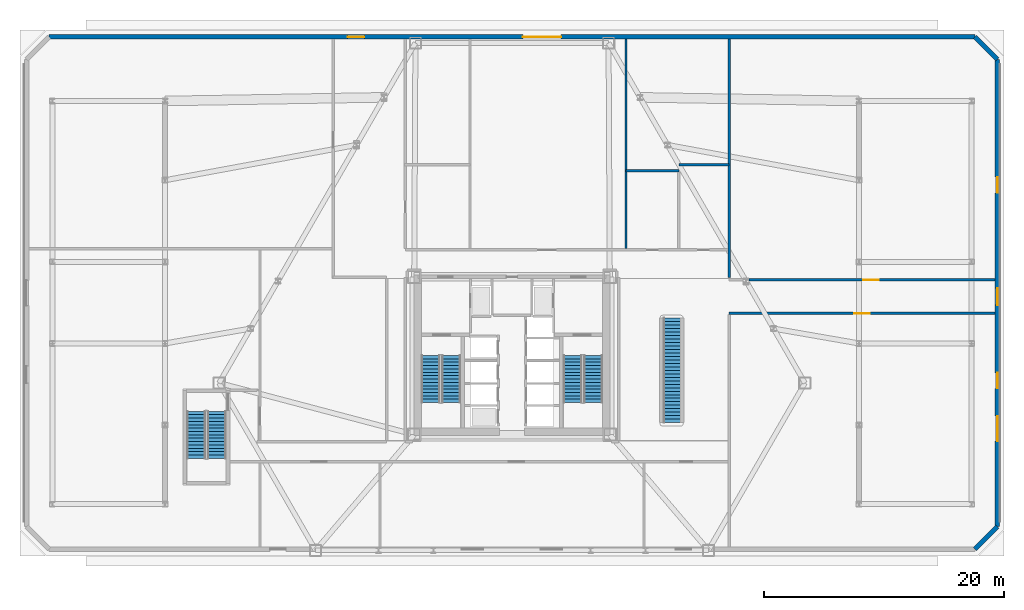
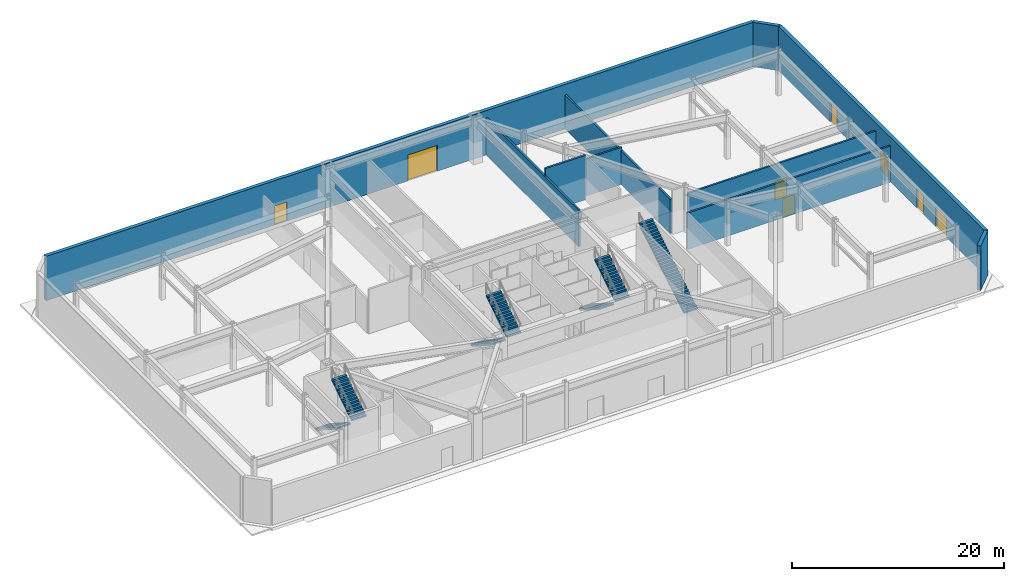
# One storey, part 7 of 12: 10 walls, 8 doors, 7 stair flights, 8 openings, 4 elements without a shape of their own.
"""IFC4 building model written with IfcOpenShell, lengths in metres."""

from ifc_helpers import new_model, si_unit, direction, frame, frame_2d, origin, place, context, subcontext, project, spatial, polyline, rectangle, outline, extrude, material, layer, layer_set, type_object, element, fill, aggregate, save


model = new_model("IFC4")

# Units and contexts
model_context = context("Model", 3, precision=1e-05, world=origin(), true_north=direction((0.0, 1.0)))
body_context = subcontext(model_context, "Body", "Model", "MODEL_VIEW")
ifc_project = project(units=[si_unit("LENGTHUNIT", "METRE"), si_unit("AREAUNIT", "SQUARE_METRE"), si_unit("VOLUMEUNIT", "CUBIC_METRE"), si_unit("PLANEANGLEUNIT", "RADIAN"), si_unit("MASSUNIT", "GRAM", prefix="KILO")], contexts=[model_context])

# Site, building, storey
site_placement = place(None, origin())
site = spatial("IfcSite", under=ifc_project, at=site_placement, CompositionType="ELEMENT")
building_placement = place(site_placement, origin())
building = spatial("IfcBuilding", under=site, at=building_placement, Name="Oramaril Tower", CompositionType="ELEMENT")
storey_placement = place(building_placement, origin())
storey = spatial("IfcBuildingStorey", under=building, at=storey_placement, Name="L00", CompositionType="ELEMENT", Elevation=0.0)

# Wall
ifc_material_1 = material(Name="Warm Cream Limestone", Category="masonry")
ifc_layer_1 = layer(ifc_material_1, 0.3798828125)
ifc_layer_set_1 = layer_set([ifc_layer_1], Name="WT-EXT38")
wall_type_1 = type_object("IfcWallType", Name="WT-EXT38", PredefinedType="SOLIDWALL", material=ifc_layer_set_1)
wall_1_placement = place(storey_placement, frame((77.949951171875, 3.327880859375, 0.0), z_axis=(0.0, 0.0, 1.0), x_axis=(-0.707060812925, -0.70715274646, 0.0)))
element("IfcWall", 1, at=wall_1_placement, inside=storey, type_object=wall_type_1, Name="L00 Limestone Facade Wall EW-2M", PredefinedType="SOLIDWALL", context=body_context, shape_type="SweptSolid", body=[
    extrude(rectangle(XDim=2.655517578125, YDim=0.3798828125, at=frame_2d((1.32763671875, 0.0))), origin(), (0.0, 0.0, 1.0), 5.1201171875),
])

# Wall, openings, doors
wall_2_placement = place(storey_placement, frame((77.949951171875, 42.272216796875, 0.0), z_axis=(0.0, 0.0, 1.0), x_axis=(0.0, -1.0, 0.0)))
wall_2 = element("IfcWall", 2, at=wall_2_placement, inside=storey, type_object=wall_type_1, Name="L00 Limestone Facade Wall EW-3M", PredefinedType="SOLIDWALL", context=body_context, shape_type="SweptSolid", body=[
    extrude(rectangle(XDim=38.9443359375, YDim=0.3798828125, at=frame_2d((19.47216796875, 0.0))), origin(), (0.0, 0.0, 1.0), 5.1201171875),
])
opening_1_placement = place(wall_2_placement, frame((26.122314453125, 0.0, 0.0)))
opening_1 = element("IfcOpeningElement", 3, at=opening_1_placement, cuts=wall_2, Name="Opening D-E04", PredefinedType="OPENING", context=body_context, shape_type="SweptSolid", body=[
    extrude(rectangle(XDim=1.300048828125, YDim=2.25, at=frame_2d((0.64990234375, 1.125))), frame((0.0, 0.18994140625, 0.0), z_axis=(0.0, -1.0, 0.0), x_axis=(1.0, 0.0, 0.0)), (0.0, 0.0, 1.0), 0.3798828125),
])
opening_2_placement = place(wall_2_placement, frame((19.072265625, 0.0, 0.0)))
opening_2 = element("IfcOpeningElement", 4, at=opening_2_placement, cuts=wall_2, Name="Opening D-ST2", PredefinedType="OPENING", context=body_context, shape_type="SweptSolid", body=[
    extrude(rectangle(XDim=1.39990234375, YDim=2.199951171875, at=frame_2d((0.699951171875, 1.10009765625))), frame((0.0, 0.18994140625, 0.0), z_axis=(0.0, -1.0, 0.0), x_axis=(1.0, 0.0, 0.0)), (0.0, 0.0, 1.0), 0.3798828125),
])
opening_3_placement = place(wall_2_placement, frame((29.72216796875, 0.0, 0.0)))
opening_3 = element("IfcOpeningElement", 5, at=opening_3_placement, cuts=wall_2, Name="Opening G-02", PredefinedType="OPENING", context=body_context, shape_type="SweptSolid", body=[
    extrude(rectangle(XDim=2.10009765625, YDim=2.300048828125, at=frame_2d((1.050048828125, 1.14990234375))), frame((0.0, 0.18994140625, 0.0), z_axis=(0.0, -1.0, 0.0), x_axis=(1.0, 0.0, 0.0)), (0.0, 0.0, 1.0), 0.3798828125),
])
opening_4_placement = place(wall_2_placement, frame((9.822265625, 0.0, 0.0)))
opening_4 = element("IfcOpeningElement", 6, at=opening_4_placement, cuts=wall_2, Name="Opening D-E06", PredefinedType="OPENING", context=body_context, shape_type="SweptSolid", body=[
    extrude(rectangle(XDim=1.300048828125, YDim=2.25, at=frame_2d((0.64990234375, 1.125))), frame((0.0, 0.18994140625, 0.0), z_axis=(0.0, -1.0, 0.0), x_axis=(1.0, 0.0, 0.0)), (0.0, 0.0, 1.0), 0.3798828125),
])
ifc_material_2 = material(Name="Anodised Aluminium 6063-T6", Category="aluminium")
door_type_1 = type_object("IfcDoorType", Name="DT-E2", OperationType="NOTDEFINED", PredefinedType="DOOR", material=ifc_material_2)
door_1_placement = place(opening_1_placement, origin())
door_1 = element("IfcDoor", 7, at=door_1_placement, inside=storey, type_object=door_type_1, Name="L00 Retail Street Exit Door D-E04", OperationType="SINGLE_SWING_RIGHT", OverallHeight=2.25, OverallWidth=1.300048828125, PredefinedType="DOOR", context=body_context, shape_type="SweptSolid", body=[
    extrude(rectangle(XDim=1.300048828125, YDim=2.25, at=frame_2d((0.64990234375, 1.125))), frame((0.0, 0.02490234375, 0.0), z_axis=(0.0, -1.0, 0.0), x_axis=(1.0, 0.0, 0.0)), (0.0, 0.0, 1.0), 0.050048828125),
])
fill(opening_1, door_1)
door_2_placement = place(opening_4_placement, origin())
door_2 = element("IfcDoor", 8, at=door_2_placement, inside=storey, type_object=door_type_1, Name="L00 North Retail Street Exit Door D-E06", OperationType="SINGLE_SWING_RIGHT", OverallHeight=2.25, OverallWidth=1.300048828125, PredefinedType="DOOR", context=body_context, shape_type="SweptSolid", body=[
    extrude(rectangle(XDim=1.300048828125, YDim=2.25, at=frame_2d((0.64990234375, 1.125))), frame((0.0, 0.02490234375, 0.0), z_axis=(0.0, -1.0, 0.0), x_axis=(1.0, 0.0, 0.0)), (0.0, 0.0, 1.0), 0.050048828125),
])
fill(opening_4, door_2)
ifc_material_3 = material(Name="Painted Galvanised Steel", Category="steel")
door_type_2 = type_object("IfcDoorType", Name="DT-GT2", OperationType="NOTDEFINED", PredefinedType="GATE", material=ifc_material_3)
door_3_placement = place(opening_3_placement, origin())
door_3 = element("IfcDoor", 9, at=door_3_placement, inside=storey, type_object=door_type_2, Name="L00 Retail Service Gate G-02", OperationType="SINGLE_SWING_RIGHT", OverallHeight=2.300048828125, OverallWidth=2.10009765625, PredefinedType="GATE", context=body_context, shape_type="SweptSolid", body=[
    extrude(rectangle(XDim=2.10009765625, YDim=2.300048828125, at=frame_2d((1.050048828125, 1.14990234375))), frame((0.0, 0.02490234375, 0.0), z_axis=(0.0, -1.0, 0.0), x_axis=(1.0, 0.0, 0.0)), (0.0, 0.0, 1.0), 0.050048828125),
])
fill(opening_3, door_3)
ifc_material_4 = material(Name="Painted Galvanised Steel", Category="steel")
door_type_3 = type_object("IfcDoorType", Name="DT-ST", OperationType="NOTDEFINED", PredefinedType="DOOR", material=ifc_material_4)
door_4_placement = place(opening_2_placement, origin())
door_4 = element("IfcDoor", 10, at=door_4_placement, inside=storey, type_object=door_type_3, Name="L00 East Final Exit Discharge D-ST2", OperationType="SINGLE_SWING_LEFT", OverallHeight=2.199951171875, OverallWidth=1.39990234375, PredefinedType="DOOR", context=body_context, shape_type="SweptSolid", body=[
    extrude(rectangle(XDim=1.39990234375, YDim=2.199951171875, at=frame_2d((0.699951171875, 1.10009765625))), frame((0.0, 0.02490234375, 0.0), z_axis=(0.0, -1.0, 0.0), x_axis=(1.0, 0.0, 0.0)), (0.0, 0.0, 1.0), 0.050048828125),
])
fill(opening_2, door_4)

# Wall
wall_3_placement = place(storey_placement, frame((76.072265625, 44.14990234375, 0.0), z_axis=(0.0, 0.0, 1.0), x_axis=(0.707106781187, -0.707106781187, 0.0)))
element("IfcWall", 11, at=wall_3_placement, inside=storey, type_object=wall_type_1, Name="L00 Limestone Facade Wall EW-4M", PredefinedType="SOLIDWALL", context=body_context, shape_type="SweptSolid", body=[
    extrude(rectangle(XDim=2.655517578125, YDim=0.3798828125, at=frame_2d((1.32763671875, 0.0))), origin(), (0.0, 0.0, 1.0), 5.1201171875),
])

# Wall, openings, doors
wall_4_placement = place(storey_placement, frame((-1.072265625, 44.14990234375, 0.0), z_axis=(0.0, 0.0, 1.0), x_axis=(1.0, 0.0, 0.0)))
wall_4 = element("IfcWall", 12, at=wall_4_placement, inside=storey, type_object=wall_type_1, Name="L00 Limestone Facade Wall EW-5M", PredefinedType="SOLIDWALL", context=body_context, shape_type="SweptSolid", body=[
    extrude(rectangle(XDim=77.14453125, YDim=0.3798828125, at=frame_2d((38.572265625, 0.0))), origin(), (0.0, 0.0, 1.0), 5.1201171875),
])
opening_5_placement = place(wall_4_placement, frame((24.872314453125, 0.0, 0.0)))
opening_5 = element("IfcOpeningElement", 13, at=opening_5_placement, cuts=wall_4, Name="Opening D-ST1", PredefinedType="OPENING", context=body_context, shape_type="SweptSolid", body=[
    extrude(rectangle(XDim=1.39990234375, YDim=2.199951171875, at=frame_2d((0.699951171875, 1.10009765625))), frame((0.0, 0.18994140625, 0.0), z_axis=(0.0, -1.0, 0.0), x_axis=(1.0, 0.0, 0.0)), (0.0, 0.0, 1.0), 0.3798828125),
])
opening_6_placement = place(wall_4_placement, frame((39.47216796875, 0.0, 0.0)))
opening_6 = element("IfcOpeningElement", 14, at=opening_6_placement, cuts=wall_4, Name="Opening D-LD01", PredefinedType="OPENING", context=body_context, shape_type="SweptSolid", body=[
    extrude(rectangle(XDim=3.199951171875, YDim=3.0, at=frame_2d((1.60009765625, 1.5))), frame((0.0, 0.18994140625, 0.0), z_axis=(0.0, -1.0, 0.0), x_axis=(1.0, 0.0, 0.0)), (0.0, 0.0, 1.0), 0.3798828125),
])
ifc_material_5 = material(Name="Painted Galvanised Steel", Category="steel")
door_type_4 = type_object("IfcDoorType", Name="DT-GT1", OperationType="NOTDEFINED", PredefinedType="GATE", material=ifc_material_5)
door_5_placement = place(opening_6_placement, origin())
door_5 = element("IfcDoor", 15, at=door_5_placement, inside=storey, type_object=door_type_4, Name="L00 Loading Bay Roller Gate D-LD01", OperationType="ROLLINGUP", OverallHeight=3.0, OverallWidth=3.199951171875, PredefinedType="GATE", context=body_context, shape_type="SweptSolid", body=[
    extrude(rectangle(XDim=3.199951171875, YDim=3.0, at=frame_2d((1.60009765625, 1.5))), frame((0.0, 0.02490234375, 0.0), z_axis=(0.0, -1.0, 0.0), x_axis=(1.0, 0.0, 0.0)), (0.0, 0.0, 1.0), 0.050048828125),
])
fill(opening_6, door_5)
door_6_placement = place(opening_5_placement, origin())
door_6 = element("IfcDoor", 16, at=door_6_placement, inside=storey, type_object=door_type_3, Name="L00 North Final Exit Discharge D-ST1", OperationType="SINGLE_SWING_LEFT", OverallHeight=2.199951171875, OverallWidth=1.39990234375, PredefinedType="DOOR", context=body_context, shape_type="SweptSolid", body=[
    extrude(rectangle(XDim=1.39990234375, YDim=2.199951171875, at=frame_2d((0.699951171875, 1.10009765625))), frame((0.0, 0.02490234375, 0.0), z_axis=(0.0, -1.0, 0.0), x_axis=(1.0, 0.0, 0.0)), (0.0, 0.0, 1.0), 0.050048828125),
])
fill(opening_5, door_6)

# Wall, opening, door
ifc_material_6 = material(Name="Autoclaved Cellular Concrete Block", Category="concrete")
ifc_layer_2 = layer(ifc_material_6, 0.199951171875)
ifc_layer_set_2 = layer_set([ifc_layer_2], Name="WT-PT20")
wall_type_2 = type_object("IfcWallType", Name="WT-PT20", PredefinedType="PARTITIONING", material=ifc_layer_set_2)
wall_5_placement = place(storey_placement, frame((55.60009765625, 21.10009765625, 0.0), z_axis=(0.0, 0.0, 1.0), x_axis=(1.0, 0.0, 0.0)))
wall_5 = element("IfcWall", 17, at=wall_5_placement, inside=storey, type_object=wall_type_2, Name="L00 Interior Partition PT-20", PredefinedType="PARTITIONING", context=body_context, shape_type="SweptSolid", body=[
    extrude(rectangle(XDim=22.156005859375, YDim=0.199951171875, at=frame_2d((11.078125, 0.0))), origin(), (0.0, 0.0, 1.0), 4.18310546875),
])
opening_7_placement = place(wall_5_placement, frame((10.419921875, 0.0, 0.0)))
opening_7 = element("IfcOpeningElement", 18, at=opening_7_placement, cuts=wall_5, Name="Opening D-L00-04", PredefinedType="OPENING", context=body_context, shape_type="SweptSolid", body=[
    extrude(rectangle(XDim=1.300048828125, YDim=2.199951171875, at=frame_2d((0.64990234375, 1.10009765625))), frame((0.0, 0.10009765625, 0.0), z_axis=(0.0, -1.0, 0.0), x_axis=(1.0, 0.0, 0.0)), (0.0, 0.0, 1.0), 0.199951171875),
])
ifc_material_7 = material(Name="FSC Brazilian Freijo Hardwood", Category="wood")
door_type_5 = type_object("IfcDoorType", Name="DT-COM", OperationType="NOTDEFINED", PredefinedType="DOOR", material=ifc_material_7)
door_7_placement = place(opening_7_placement, origin())
door_7 = element("IfcDoor", 19, at=door_7_placement, inside=storey, type_object=door_type_5, Name="L00 L00 South Boutique Retail Gallery Door D-L00-04", OperationType="SINGLE_SWING_LEFT", OverallHeight=2.199951171875, OverallWidth=1.300048828125, PredefinedType="DOOR", context=body_context, shape_type="SweptSolid", body=[
    extrude(rectangle(XDim=1.300048828125, YDim=2.199951171875, at=frame_2d((0.64990234375, 1.10009765625))), frame((0.0, 0.02490234375, 0.0), z_axis=(0.0, -1.0, 0.0), x_axis=(1.0, 0.0, 0.0)), (0.0, 0.0, 1.0), 0.050048828125),
])
fill(opening_7, door_7)

wall_6_placement = place(storey_placement, frame((57.254150390625, 23.89990234375, 0.0), z_axis=(0.0, 0.0, 1.0), x_axis=(1.0, 0.0, 0.0)))
wall_6 = element("IfcWall", 20, at=wall_6_placement, inside=storey, type_object=wall_type_2, Name="L00 Interior Partition PT-20", PredefinedType="PARTITIONING", context=body_context, shape_type="SweptSolid", body=[
    extrude(rectangle(XDim=20.501953125, YDim=0.199951171875, at=frame_2d((10.2509765625, 0.0))), origin(), (0.0, 0.0, 1.0), 4.18310546875),
])
opening_8_placement = place(wall_6_placement, frame((9.5185546875, 0.0, 0.0)))
opening_8 = element("IfcOpeningElement", 21, at=opening_8_placement, cuts=wall_6, Name="Opening D-L00-05", PredefinedType="OPENING", context=body_context, shape_type="SweptSolid", body=[
    extrude(rectangle(XDim=1.300048828125, YDim=2.199951171875, at=frame_2d((0.64990234375, 1.10009765625))), frame((0.0, 0.10009765625, 0.0), z_axis=(0.0, -1.0, 0.0), x_axis=(1.0, 0.0, 0.0)), (0.0, 0.0, 1.0), 0.199951171875),
])
door_8_placement = place(opening_8_placement, origin())
door_8 = element("IfcDoor", 22, at=door_8_placement, inside=storey, type_object=door_type_5, Name="L00 L00 North Boutique Retail Gallery Door D-L00-05", OperationType="SINGLE_SWING_RIGHT", OverallHeight=2.199951171875, OverallWidth=1.300048828125, PredefinedType="DOOR", context=body_context, shape_type="SweptSolid", body=[
    extrude(rectangle(XDim=1.300048828125, YDim=2.199951171875, at=frame_2d((0.64990234375, 1.10009765625))), frame((0.0, 0.02490234375, 0.0), z_axis=(0.0, -1.0, 0.0), x_axis=(1.0, 0.0, 0.0)), (0.0, 0.0, 1.0), 0.050048828125),
])
fill(opening_8, door_8)

# Walls
wall_7_placement = place(storey_placement, frame((47.0, 33.0, 0.0), z_axis=(0.0, 0.0, 1.0), x_axis=(1.0, 0.0, 0.0)))
element("IfcWall", 23, at=wall_7_placement, inside=storey, type_object=wall_type_2, Name="L00 Interior Partition PT-20", PredefinedType="PARTITIONING", context=body_context, shape_type="SweptSolid", body=[
    extrude(rectangle(XDim=4.39990234375, YDim=0.199951171875, at=frame_2d((2.199951171875, 0.0))), origin(), (0.0, 0.0, 1.0), 5.1201171875),
])
wall_8_placement = place(storey_placement, frame((51.39990234375, 33.5, 0.0), z_axis=(0.0, 0.0, 1.0), x_axis=(1.0, 0.0, 0.0)))
element("IfcWall", 24, at=wall_8_placement, inside=storey, type_object=wall_type_2, Name="L00 Interior Partition PT-20", PredefinedType="PARTITIONING", context=body_context, shape_type="SweptSolid", body=[
    extrude(rectangle(XDim=4.2001953125, YDim=0.199951171875, at=frame_2d((2.10009765625, 0.0))), origin(), (0.0, 0.0, 1.0), 4.25390625),
])
wall_9_placement = place(storey_placement, frame((47.0, 26.50390625, 0.0), z_axis=(0.0, 0.0, 1.0), x_axis=(0.0, 1.0, 0.0)))
element("IfcWall", 25, at=wall_9_placement, inside=storey, type_object=wall_type_2, Name="L00 Interior Partition PT-20", PredefinedType="PARTITIONING", context=body_context, shape_type="SweptSolid", body=[
    extrude(rectangle(XDim=17.4521484375, YDim=0.199951171875, at=frame_2d((8.72607421875, 0.0))), origin(), (0.0, 0.0, 1.0), 4.25390625),
])
wall_10_placement = place(storey_placement, frame((55.60009765625, 24.10009765625, 0.0), z_axis=(0.0, 0.0, 1.0), x_axis=(0.0, 1.0, 0.0)))
element("IfcWall", 26, at=wall_10_placement, inside=storey, type_object=wall_type_2, Name="L00 Interior Partition PT-20", PredefinedType="PARTITIONING", context=body_context, shape_type="SweptSolid", body=[
    extrude(rectangle(XDim=19.85595703125, YDim=0.199951171875, at=frame_2d((9.927978515625, 0.0))), origin(), (0.0, 0.0, 1.0), 3.909912109375),
])

# Stair, stair flights
ifc_material_8 = material(Name="Concrete C50/60", Category="concrete")
stair_type_1 = type_object("IfcStairType", Name="STT-DG-5400", PredefinedType="HALF_TURN_STAIR", material=ifc_material_8)
stair_1_placement = place(storey_placement, origin())
stair_1 = element("IfcStair", 27, at=stair_1_placement, inside=storey, type_object=stair_type_1, Name="L00 Protected PFP Exit Stair ST-1", PredefinedType="HALF_TURN_STAIR")
ifc_material_9 = material(Name="Concrete C50/60", Category="concrete")
stair_flight_type_1 = type_object("IfcStairFlightType", Name="SFT-DG-5400", PredefinedType="STRAIGHT", material=ifc_material_9)
stair_flight_1_placement = place(storey_placement, frame((30.72998046875, 17.590087890625, 0.0), z_axis=(0.0, 0.0, 1.0), x_axis=(0.0, -1.0, 0.0)))
stair_flight_1 = element("IfcStairFlight", 28, at=stair_flight_1_placement, type_object=stair_flight_type_1, Name="ST-1 flight 1", NumberOfRisers=15, NumberOfTreads=14, PredefinedType="STRAIGHT", RiserHeight=0.18, TreadLength=0.28, context=body_context, shape_type="SweptSolid", body=[
    extrude(outline(polyline([(0.0, 0.0), (0.0, 0.179931640625), (0.280029296875, 0.179931640625), (0.280029296875, 0.360107421875), (0.56005859375, 0.360107421875), (0.56005859375, 0.5400390625), (0.840087890625, 0.5400390625), (0.840087890625, 0.719970703125), (1.1201171875, 0.719970703125), (1.1201171875, 0.89990234375), (1.39990234375, 0.89990234375), (1.39990234375, 1.080078125), (1.679931640625, 1.080078125), (1.679931640625, 1.260009765625), (1.9599609375, 1.260009765625), (1.9599609375, 1.43994140625), (2.239990234375, 1.43994140625), (2.239990234375, 1.6201171875), (2.52001953125, 1.6201171875), (2.52001953125, 1.800048828125), (2.800048828125, 1.800048828125), (2.800048828125, 1.97998046875), (3.080078125, 1.97998046875), (3.080078125, 2.159912109375), (3.360107421875, 2.159912109375), (3.360107421875, 2.340087890625), (3.639892578125, 2.340087890625), (3.639892578125, 2.52001953125), (3.919921875, 2.52001953125), (3.919921875, 2.699951171875), (3.919921875, 2.341796875), (0.277099609375, 0.0), (0.0, 0.0)])), frame((0.0, 0.780029296875, 0.0), z_axis=(0.0, -1.0, 0.0), x_axis=(1.0, 0.0, 0.0)), (0.0, 0.0, 1.0), 1.56005859375),
])
stair_flight_2_placement = place(storey_placement, frame((32.43994140625, 13.669921875, 2.699951171875), z_axis=(0.0, 0.0, 1.0), x_axis=(0.0, 1.0, 0.0)))
stair_flight_2 = element("IfcStairFlight", 29, at=stair_flight_2_placement, type_object=stair_flight_type_1, Name="ST-1 flight 2", NumberOfRisers=15, NumberOfTreads=14, PredefinedType="STRAIGHT", RiserHeight=0.18, TreadLength=0.28, context=body_context, shape_type="SweptSolid", body=[
    extrude(outline(polyline([(0.0, 0.0), (0.0, 0.179931640625), (0.280029296875, 0.179931640625), (0.280029296875, 0.360107421875), (0.56005859375, 0.360107421875), (0.56005859375, 0.5400390625), (0.840087890625, 0.5400390625), (0.840087890625, 0.719970703125), (1.1201171875, 0.719970703125), (1.1201171875, 0.89990234375), (1.39990234375, 0.89990234375), (1.39990234375, 1.080078125), (1.679931640625, 1.080078125), (1.679931640625, 1.260009765625), (1.9599609375, 1.260009765625), (1.9599609375, 1.43994140625), (2.239990234375, 1.43994140625), (2.239990234375, 1.6201171875), (2.52001953125, 1.6201171875), (2.52001953125, 1.800048828125), (2.800048828125, 1.800048828125), (2.800048828125, 1.97998046875), (3.080078125, 1.97998046875), (3.080078125, 2.159912109375), (3.360107421875, 2.159912109375), (3.360107421875, 2.340087890625), (3.639892578125, 2.340087890625), (3.639892578125, 2.52001953125), (3.919921875, 2.52001953125), (3.919921875, 2.699951171875), (3.919921875, 2.341796875), (0.277099609375, 0.0), (0.0, 0.0)])), frame((0.0, 0.780029296875, 0.0), z_axis=(0.0, -1.0, 0.0), x_axis=(1.0, 0.0, 0.0)), (0.0, 0.0, 1.0), 1.56005859375),
])
aggregate(stair_1, [stair_flight_1, stair_flight_2])

stair_2_placement = place(storey_placement, origin())
stair_2 = element("IfcStair", 30, at=stair_2_placement, inside=storey, type_object=stair_type_1, Name="L00 Protected PFP Exit Stair ST-2", PredefinedType="HALF_TURN_STAIR")
stair_flight_3_placement = place(storey_placement, frame((42.56005859375, 17.590087890625, 0.0), z_axis=(0.0, 0.0, 1.0), x_axis=(0.0, -1.0, 0.0)))
stair_flight_3 = element("IfcStairFlight", 31, at=stair_flight_3_placement, type_object=stair_flight_type_1, Name="ST-2 flight 1", NumberOfRisers=15, NumberOfTreads=14, PredefinedType="STRAIGHT", RiserHeight=0.18, TreadLength=0.28, context=body_context, shape_type="SweptSolid", body=[
    extrude(outline(polyline([(0.0, 0.0), (0.0, 0.179931640625), (0.280029296875, 0.179931640625), (0.280029296875, 0.360107421875), (0.56005859375, 0.360107421875), (0.56005859375, 0.5400390625), (0.840087890625, 0.5400390625), (0.840087890625, 0.719970703125), (1.1201171875, 0.719970703125), (1.1201171875, 0.89990234375), (1.39990234375, 0.89990234375), (1.39990234375, 1.080078125), (1.679931640625, 1.080078125), (1.679931640625, 1.260009765625), (1.9599609375, 1.260009765625), (1.9599609375, 1.43994140625), (2.239990234375, 1.43994140625), (2.239990234375, 1.6201171875), (2.52001953125, 1.6201171875), (2.52001953125, 1.800048828125), (2.800048828125, 1.800048828125), (2.800048828125, 1.97998046875), (3.080078125, 1.97998046875), (3.080078125, 2.159912109375), (3.360107421875, 2.159912109375), (3.360107421875, 2.340087890625), (3.639892578125, 2.340087890625), (3.639892578125, 2.52001953125), (3.919921875, 2.52001953125), (3.919921875, 2.699951171875), (3.919921875, 2.341796875), (0.277099609375, 0.0), (0.0, 0.0)])), frame((0.0, 0.780029296875, 0.0), z_axis=(0.0, -1.0, 0.0), x_axis=(1.0, 0.0, 0.0)), (0.0, 0.0, 1.0), 1.56005859375),
])
stair_flight_4_placement = place(storey_placement, frame((44.27001953125, 13.669921875, 2.699951171875), z_axis=(0.0, 0.0, 1.0), x_axis=(0.0, 1.0, 0.0)))
stair_flight_4 = element("IfcStairFlight", 32, at=stair_flight_4_placement, type_object=stair_flight_type_1, Name="ST-2 flight 2", NumberOfRisers=15, NumberOfTreads=14, PredefinedType="STRAIGHT", RiserHeight=0.18, TreadLength=0.28, context=body_context, shape_type="SweptSolid", body=[
    extrude(outline(polyline([(0.0, 0.0), (0.0, 0.179931640625), (0.280029296875, 0.179931640625), (0.280029296875, 0.360107421875), (0.56005859375, 0.360107421875), (0.56005859375, 0.5400390625), (0.840087890625, 0.5400390625), (0.840087890625, 0.719970703125), (1.1201171875, 0.719970703125), (1.1201171875, 0.89990234375), (1.39990234375, 0.89990234375), (1.39990234375, 1.080078125), (1.679931640625, 1.080078125), (1.679931640625, 1.260009765625), (1.9599609375, 1.260009765625), (1.9599609375, 1.43994140625), (2.239990234375, 1.43994140625), (2.239990234375, 1.6201171875), (2.52001953125, 1.6201171875), (2.52001953125, 1.800048828125), (2.800048828125, 1.800048828125), (2.800048828125, 1.97998046875), (3.080078125, 1.97998046875), (3.080078125, 2.159912109375), (3.360107421875, 2.159912109375), (3.360107421875, 2.340087890625), (3.639892578125, 2.340087890625), (3.639892578125, 2.52001953125), (3.919921875, 2.52001953125), (3.919921875, 2.699951171875), (3.919921875, 2.341796875), (0.277099609375, 0.0), (0.0, 0.0)])), frame((0.0, 0.780029296875, 0.0), z_axis=(0.0, -1.0, 0.0), x_axis=(1.0, 0.0, 0.0)), (0.0, 0.0, 1.0), 1.56005859375),
])
aggregate(stair_2, [stair_flight_3, stair_flight_4])

stair_3_placement = place(storey_placement, origin())
stair_3 = element("IfcStair", 33, at=stair_3_placement, inside=storey, type_object=stair_type_1, Name="L00 Podium Enclosed Exit Stair ST-3", PredefinedType="HALF_TURN_STAIR")
stair_flight_5_placement = place(storey_placement, frame((11.179931640625, 12.93994140625, 0.0), z_axis=(0.0, 0.0, 1.0), x_axis=(0.0, -1.0, 0.0)))
stair_flight_5 = element("IfcStairFlight", 34, at=stair_flight_5_placement, type_object=stair_flight_type_1, Name="ST-3 flight 1", NumberOfRisers=15, NumberOfTreads=14, PredefinedType="STRAIGHT", RiserHeight=0.18, TreadLength=0.28, context=body_context, shape_type="SweptSolid", body=[
    extrude(outline(polyline([(0.0, 0.0), (0.0, 0.179931640625), (0.280029296875, 0.179931640625), (0.280029296875, 0.360107421875), (0.56005859375, 0.360107421875), (0.56005859375, 0.5400390625), (0.840087890625, 0.5400390625), (0.840087890625, 0.719970703125), (1.1201171875, 0.719970703125), (1.1201171875, 0.89990234375), (1.39990234375, 0.89990234375), (1.39990234375, 1.080078125), (1.679931640625, 1.080078125), (1.679931640625, 1.260009765625), (1.9599609375, 1.260009765625), (1.9599609375, 1.43994140625), (2.239990234375, 1.43994140625), (2.239990234375, 1.6201171875), (2.52001953125, 1.6201171875), (2.52001953125, 1.800048828125), (2.800048828125, 1.800048828125), (2.800048828125, 1.97998046875), (3.080078125, 1.97998046875), (3.080078125, 2.159912109375), (3.360107421875, 2.159912109375), (3.360107421875, 2.340087890625), (3.639892578125, 2.340087890625), (3.639892578125, 2.52001953125), (3.919921875, 2.52001953125), (3.919921875, 2.699951171875), (3.919921875, 2.341796875), (0.277099609375, 0.0), (0.0, 0.0)])), frame((0.0, 0.780029296875, 0.0), z_axis=(0.0, -1.0, 0.0), x_axis=(1.0, 0.0, 0.0)), (0.0, 0.0, 1.0), 1.56005859375),
])
stair_flight_6_placement = place(storey_placement, frame((12.889892578125, 9.02001953125, 2.699951171875), z_axis=(0.0, 0.0, 1.0), x_axis=(0.0, 1.0, 0.0)))
stair_flight_6 = element("IfcStairFlight", 35, at=stair_flight_6_placement, type_object=stair_flight_type_1, Name="ST-3 flight 2", NumberOfRisers=15, NumberOfTreads=14, PredefinedType="STRAIGHT", RiserHeight=0.18, TreadLength=0.28, context=body_context, shape_type="SweptSolid", body=[
    extrude(outline(polyline([(0.0, 0.0), (0.0, 0.179931640625), (0.280029296875, 0.179931640625), (0.280029296875, 0.360107421875), (0.56005859375, 0.360107421875), (0.56005859375, 0.5400390625), (0.840087890625, 0.5400390625), (0.840087890625, 0.719970703125), (1.1201171875, 0.719970703125), (1.1201171875, 0.89990234375), (1.39990234375, 0.89990234375), (1.39990234375, 1.080078125), (1.679931640625, 1.080078125), (1.679931640625, 1.260009765625), (1.9599609375, 1.260009765625), (1.9599609375, 1.43994140625), (2.239990234375, 1.43994140625), (2.239990234375, 1.6201171875), (2.52001953125, 1.6201171875), (2.52001953125, 1.800048828125), (2.800048828125, 1.800048828125), (2.800048828125, 1.97998046875), (3.080078125, 1.97998046875), (3.080078125, 2.159912109375), (3.360107421875, 2.159912109375), (3.360107421875, 2.340087890625), (3.639892578125, 2.340087890625), (3.639892578125, 2.52001953125), (3.919921875, 2.52001953125), (3.919921875, 2.699951171875), (3.919921875, 2.341796875), (0.277099609375, 0.0), (0.0, 0.0)])), frame((0.0, 0.780029296875, 0.0), z_axis=(0.0, -1.0, 0.0), x_axis=(1.0, 0.0, 0.0)), (0.0, 0.0, 1.0), 1.56005859375),
])
aggregate(stair_3, [stair_flight_5, stair_flight_6])

# Stair, stair flight
ifc_material_10 = material(Name="Concrete C40/50", Category="concrete")
stair_type_2 = type_object("IfcStairType", Name="STT-SR-ST-4A", PredefinedType="STRAIGHT_RUN_STAIR", material=ifc_material_10)
stair_4_placement = place(storey_placement, origin())
stair_4 = element("IfcStair", 36, at=stair_4_placement, inside=storey, type_object=stair_type_2, Name="L00 Architectural Feature Stair ST-4A", PredefinedType="STRAIGHT_RUN_STAIR")
ifc_material_11 = material(Name="Concrete C40/50", Category="concrete")
stair_flight_type_2 = type_object("IfcStairFlightType", Name="SFT-SR-ST-4A", PredefinedType="STRAIGHT", material=ifc_material_11)
stair_flight_7_placement = place(storey_placement, frame((50.800048828125, 12.0, 0.0), z_axis=(0.0, 0.0, 1.0), x_axis=(0.0, 1.0, 0.0)))
stair_flight_7 = element("IfcStairFlight", 37, at=stair_flight_7_placement, type_object=stair_flight_type_2, Name="ST-4A flight 1", NumberOfRisers=31, NumberOfTreads=30, PredefinedType="STRAIGHT", RiserHeight=0.174194, TreadLength=0.29, context=body_context, shape_type="SweptSolid", body=[
    extrude(outline(polyline([(0.0, 0.0), (0.0, 0.174072265625), (0.2900390625, 0.174072265625), (0.2900390625, 0.348388671875), (0.580078125, 0.348388671875), (0.580078125, 0.5224609375), (0.8701171875, 0.5224609375), (0.8701171875, 0.69677734375), (1.159912109375, 0.69677734375), (1.159912109375, 0.870849609375), (1.449951171875, 0.870849609375), (1.449951171875, 1.045166015625), (1.739990234375, 1.045166015625), (1.739990234375, 1.21923828125), (2.030029296875, 1.21923828125), (2.030029296875, 1.3935546875), (2.320068359375, 1.3935546875), (2.320068359375, 1.567626953125), (2.610107421875, 1.567626953125), (2.610107421875, 1.741943359375), (2.89990234375, 1.741943359375), (2.89990234375, 1.916015625), (3.18994140625, 1.916015625), (3.18994140625, 2.09033203125), (3.47998046875, 2.09033203125), (3.47998046875, 2.264404296875), (3.77001953125, 2.264404296875), (3.77001953125, 2.438720703125), (4.06005859375, 2.438720703125), (4.06005859375, 2.61279296875), (4.35009765625, 2.61279296875), (4.35009765625, 2.787109375), (4.639892578125, 2.787109375), (4.639892578125, 2.961181640625), (4.929931640625, 2.961181640625), (4.929931640625, 3.135498046875), (5.219970703125, 3.135498046875), (5.219970703125, 3.3095703125), (5.510009765625, 3.3095703125), (5.510009765625, 3.48388671875), (5.800048828125, 3.48388671875), (5.800048828125, 3.657958984375), (6.090087890625, 3.657958984375), (6.090087890625, 3.832275390625), (6.3798828125, 3.832275390625), (6.3798828125, 4.00634765625), (6.669921875, 4.00634765625), (6.669921875, 4.1806640625), (6.9599609375, 4.1806640625), (6.9599609375, 4.354736328125), (7.25, 4.354736328125), (7.25, 4.529052734375), (7.5400390625, 4.529052734375), (7.5400390625, 4.703125), (7.830078125, 4.703125), (7.830078125, 4.87744140625), (8.1201171875, 4.87744140625), (8.1201171875, 5.051513671875), (8.409912109375, 5.051513671875), (8.409912109375, 5.225830078125), (8.699951171875, 5.225830078125), (8.699951171875, 5.39990234375), (8.699951171875, 5.015869140625), (0.349365234375, 0.0), (0.0, 0.0)])), frame((0.0, 0.72509765625, 0.0), z_axis=(0.0, -1.0, 0.0), x_axis=(1.0, 0.0, 0.0)), (0.0, 0.0, 1.0), 1.449951171875),
])
aggregate(stair_4, [stair_flight_7])

save(model, "model.ifc")
